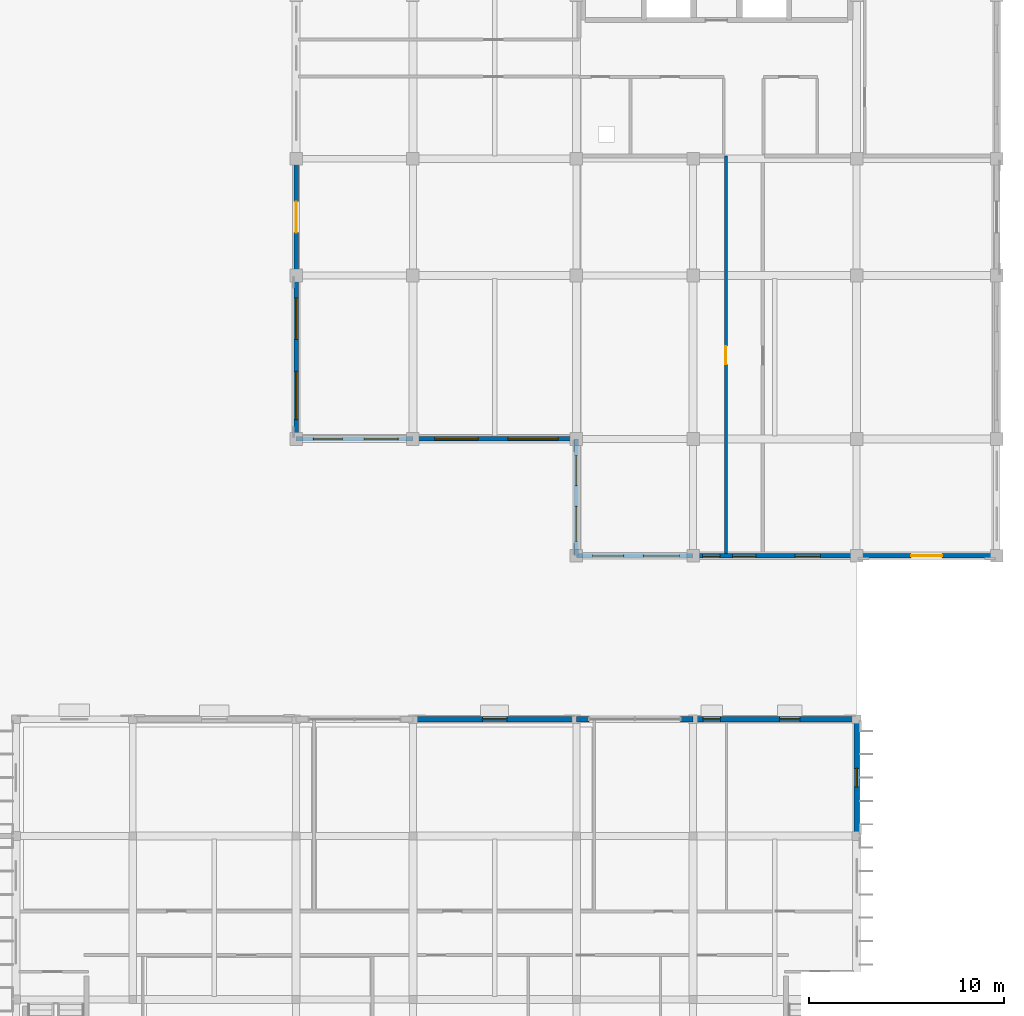
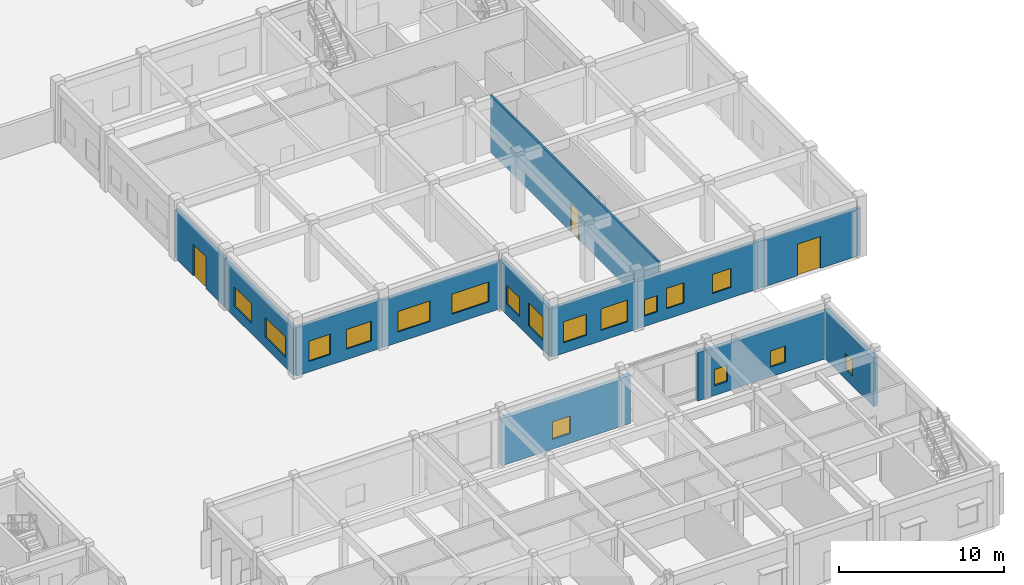
# One storey, part 43 of 67: 17 windows, 14 walls, 3 doors, 20 openings.
"""IFC4 building model written with IfcOpenShell, lengths in metres."""

from ifc_helpers import new_model, si_unit, direction, frame, frame_2d, origin, place, context, subcontext, project, spatial, rectangle, extrude, material, layer, layer_set, type_object, element, fill, save


model = new_model("IFC4")

# Units and contexts
model_context = context("Model", 3, precision=1e-05, world=origin(), true_north=direction((0.0, 1.0)))
body_context = subcontext(model_context, "Body", "Model", "MODEL_VIEW")
ifc_project = project(units=[si_unit("LENGTHUNIT", "METRE"), si_unit("AREAUNIT", "SQUARE_METRE"), si_unit("VOLUMEUNIT", "CUBIC_METRE"), si_unit("PLANEANGLEUNIT", "RADIAN"), si_unit("MASSUNIT", "GRAM", prefix="KILO"), si_unit("THERMODYNAMICTEMPERATUREUNIT", "KELVIN")], contexts=[model_context])

# Site, building, storey
site_placement = place(None, origin())
site = spatial("IfcSite", under=ifc_project, at=site_placement, CompositionType="ELEMENT")
building_placement = place(site_placement, origin())
building = spatial("IfcBuilding", under=site, at=building_placement, Name="Thalorik Housing Commons", CompositionType="ELEMENT")
storey_placement = place(building_placement, origin())
storey = spatial("IfcBuildingStorey", under=building, at=storey_placement, Name="L00", CompositionType="ELEMENT", Elevation=0.0)

# Wall, opening, door
ifc_material_1 = material(Name="Masonry fire-rated corridor wall", Category="masonry")
ifc_layer_1 = layer(ifc_material_1, 0.14990234375, Name="Masonry fire-rated corridor wall", Category="masonry")
ifc_layer_set_1 = layer_set([ifc_layer_1], Name="Masonry fire-rated corridor wall")
wall_type_1 = type_object("IfcWallType", Name="ARC-WAL-CORR-150", PredefinedType="PARTITIONING", material=ifc_layer_set_1)
wall_1_placement = place(storey_placement, frame((160.080078125, 37.319580078125, 0.0), z_axis=(0.0, 0.0, 1.0), x_axis=(0.0, 1.0, 0.0)))
wall_1 = element("IfcWall", 1, at=wall_1_placement, inside=storey, type_object=wall_type_1, Name="L00 Block D E Corridor Wall 1", PredefinedType="PARTITIONING", context=body_context, shape_type="SweptSolid", body=[
    extrude(rectangle(XDim=20.42041015625, YDim=0.14990234375, at=frame_2d((10.210205078125, 0.0))), origin(), (0.0, 0.0, 1.0), 4.199951171875),
])
opening_1_placement = place(wall_1_placement, frame((9.70556640625, 0.0, 0.0)))
opening_1 = element("IfcOpeningElement", 2, at=opening_1_placement, cuts=wall_1, Name="Opening ID-1986", PredefinedType="OPENING", context=body_context, shape_type="SweptSolid", body=[
    extrude(rectangle(XDim=0.949951171875, YDim=2.10009765625, at=frame_2d((0.47509765625, 1.050048828125))), frame((0.0, 0.0849609375, 0.0), z_axis=(0.0, -1.0, 0.0), x_axis=(1.0, 0.0, 0.0)), (0.0, 0.0, 1.0), 0.169921875),
])
ifc_material_2 = material(Name="Steel S355", Category="steel")
door_type_1 = type_object("IfcDoorType", Name="ARC-DR-FD60-950", OperationType="NOTDEFINED", PredefinedType="DOOR", material=ifc_material_2)
door_1_placement = place(opening_1_placement, origin())
door_1 = element("IfcDoor", 3, at=door_1_placement, inside=storey, type_object=door_type_1, Name="L00 Residents Lounge Entrance Door", OperationType="SINGLE_SWING_LEFT", OverallHeight=2.10009765625, OverallWidth=0.949951171875, PredefinedType="DOOR", context=body_context, shape_type="SweptSolid", body=[
    extrude(rectangle(XDim=0.949951171875, YDim=2.10009765625, at=frame_2d((0.47509765625, 1.050048828125))), frame((0.0, 0.02490234375, 0.0), z_axis=(0.0, -1.0, 0.0), x_axis=(1.0, 0.0, 0.0)), (0.0, 0.0, 1.0), 0.050048828125),
])
fill(opening_1, door_1)

ifc_material_3 = material(Name="White precast concrete C40/50", Category="concrete")
ifc_layer_2 = layer(ifc_material_3, 0.235107421875, Name="White precast concrete C40/50", Category="concrete")
ifc_layer_set_2 = layer_set([ifc_layer_2], Name="White precast concrete C40/50")
wall_type_2 = type_object("IfcWallType", Name="ARC-WAL-EXT-235", PredefinedType="STANDARD", material=ifc_layer_set_2)
wall_2_placement = place(storey_placement, frame((138.0, 57.60009765625, 0.0), z_axis=(0.0, 0.0, 1.0), x_axis=(0.0, -1.0, 0.0)))
wall_2 = element("IfcWall", 4, at=wall_2_placement, inside=storey, type_object=wall_type_2, Name="L00 Exterior Wall WAL-EXT-L00-D-1109", PredefinedType="STANDARD", context=body_context, shape_type="SweptSolid", body=[
    extrude(rectangle(XDim=6.0, YDim=0.235107421875, at=frame_2d((3.0, 0.0))), origin(), (0.0, 0.0, 1.0), 3.5849609375),
])
opening_2_placement = place(wall_2_placement, frame((2.199951171875, 0.0, 0.0)))
opening_2 = element("IfcOpeningElement", 5, at=opening_2_placement, cuts=wall_2, Name="Opening ED-0370", PredefinedType="OPENING", context=body_context, shape_type="SweptSolid", body=[
    extrude(rectangle(XDim=1.60009765625, YDim=2.35009765625, at=frame_2d((0.800048828125, 1.175048828125))), frame((0.0, 0.12744140625, 0.0), z_axis=(0.0, -1.0, 0.0), x_axis=(1.0, 0.0, 0.0)), (0.0, 0.0, 1.0), 0.255126953125),
])
ifc_material_4 = material(Name="Anodised aluminium and laminated safety glass", Category="aluminium")
door_type_2 = type_object("IfcDoorType", Name="ARC-DR-EXT-LOB-1600", OperationType="NOTDEFINED", PredefinedType="DOOR", material=ifc_material_4)
door_2_placement = place(opening_2_placement, frame((1.60009765625, 0.0, 0.0), z_axis=(0.0, 0.0, 1.0), x_axis=(-1.0, 0.0, 0.0)))
door_2 = element("IfcDoor", 6, at=door_2_placement, inside=storey, type_object=door_type_2, Name="L00 Block D Courtyard Entrance Door", OperationType="DOUBLE_DOOR_SINGLE_SWING", OverallHeight=2.35009765625, OverallWidth=1.60009765625, PredefinedType="DOOR", context=body_context, shape_type="SweptSolid", body=[
    extrude(rectangle(XDim=1.60009765625, YDim=2.35009765625, at=frame_2d((0.800048828125, 1.175048828125))), frame((0.0, 0.02490234375, 0.0), z_axis=(0.0, -1.0, 0.0), x_axis=(1.0, 0.0, 0.0)), (0.0, 0.0, 1.0), 0.050048828125),
])
fill(opening_2, door_2)

# Wall, openings, windows
wall_3_placement = place(storey_placement, frame((138.0, 51.60009765625, 0.0), z_axis=(0.0, 0.0, 1.0), x_axis=(0.0, -1.0, 0.0)))
wall_3 = element("IfcWall", 7, at=wall_3_placement, inside=storey, type_object=wall_type_2, Name="L00 Exterior Wall WAL-EXT-L00-D-1110", PredefinedType="STANDARD", context=body_context, shape_type="SweptSolid", body=[
    extrude(rectangle(XDim=8.400146484375, YDim=0.235107421875, at=frame_2d((4.2001953125, 0.0))), origin(), (0.0, 0.0, 1.0), 3.485107421875),
])
opening_3_placement = place(wall_3_placement, frame((1.169921875, 0.0, 0.780029296875)))
opening_3 = element("IfcOpeningElement", 8, at=opening_3_placement, cuts=wall_3, Name="Opening W-64", PredefinedType="OPENING", context=body_context, shape_type="SweptSolid", body=[
    extrude(rectangle(XDim=2.1201171875, YDim=1.43994140625, at=frame_2d((1.06005859375, 0.719970703125))), frame((0.0, 0.12744140625, 0.0), z_axis=(0.0, -1.0, 0.0), x_axis=(1.0, 0.0, 0.0)), (0.0, 0.0, 1.0), 0.255126953125),
])
opening_4_placement = place(wall_3_placement, frame((4.929931640625, 0.0, 0.780029296875)))
opening_4 = element("IfcOpeningElement", 9, at=opening_4_placement, cuts=wall_3, Name="Opening W-71", PredefinedType="OPENING", context=body_context, shape_type="SweptSolid", body=[
    extrude(rectangle(XDim=2.47998046875, YDim=1.4599609375, at=frame_2d((1.239990234375, 0.72998046875))), frame((0.0, 0.12744140625, 0.0), z_axis=(0.0, -1.0, 0.0), x_axis=(1.0, 0.0, 0.0)), (0.0, 0.0, 1.0), 0.255126953125),
])
ifc_material_5 = material(Name="Anodised aluminium and solar-control low-E glass", Category="aluminium")
window_type_1 = type_object("IfcWindowType", Name="ARC-WIN-64", PartitioningType="DOUBLE_PANEL_VERTICAL", PredefinedType="WINDOW", material=ifc_material_5)
window_1_placement = place(opening_3_placement, origin())
window_1 = element("IfcWindow", 10, at=window_1_placement, inside=storey, type_object=window_type_1, Name="L00 Facade Window 2046", OverallHeight=1.43994140625, OverallWidth=2.1201171875, PartitioningType="DOUBLE_PANEL_VERTICAL", PredefinedType="WINDOW", context=body_context, shape_type="SweptSolid", body=[
    extrude(rectangle(XDim=2.1201171875, YDim=1.43994140625, at=frame_2d((1.06005859375, 0.719970703125))), frame((0.0, 0.030029296875, 0.0), z_axis=(0.0, -1.0, 0.0), x_axis=(1.0, 0.0, 0.0)), (0.0, 0.0, 1.0), 0.06005859375),
])
fill(opening_3, window_1)
window_type_2 = type_object("IfcWindowType", Name="ARC-WIN-71", PartitioningType="DOUBLE_PANEL_VERTICAL", PredefinedType="WINDOW", material=ifc_material_5)
window_2_placement = place(opening_4_placement, origin())
window_2 = element("IfcWindow", 11, at=window_2_placement, inside=storey, type_object=window_type_2, Name="L00 Facade Window 2047", OverallHeight=1.4599609375, OverallWidth=2.47998046875, PartitioningType="DOUBLE_PANEL_VERTICAL", PredefinedType="WINDOW", context=body_context, shape_type="SweptSolid", body=[
    extrude(rectangle(XDim=2.47998046875, YDim=1.4599609375, at=frame_2d((1.239990234375, 0.72998046875))), frame((0.0, 0.030029296875, 0.0), z_axis=(0.0, -1.0, 0.0), x_axis=(1.0, 0.0, 0.0)), (0.0, 0.0, 1.0), 0.06005859375),
])
fill(opening_4, window_2)

wall_4_placement = place(storey_placement, frame((138.0, 43.199951171875, 0.0), z_axis=(0.0, 0.0, 1.0), x_axis=(1.0, 0.0, 0.0)))
wall_4 = element("IfcWall", 12, at=wall_4_placement, inside=storey, type_object=wall_type_2, Name="L00 Exterior Wall WAL-EXT-L00-D-1111", PredefinedType="STANDARD", context=body_context, shape_type="SweptSolid", body=[
    extrude(rectangle(XDim=6.0, YDim=0.235107421875, at=frame_2d((3.0, 0.0))), origin(), (0.0, 0.0, 1.0), 3.5849609375),
])
opening_5_placement = place(wall_4_placement, frame((0.8798828125, 0.0, 0.780029296875)))
opening_5 = element("IfcOpeningElement", 13, at=opening_5_placement, cuts=wall_4, Name="Opening W-10", PredefinedType="OPENING", context=body_context, shape_type="SweptSolid", body=[
    extrude(rectangle(XDim=1.5, YDim=1.5, at=frame_2d((0.75, 0.75))), frame((0.0, 0.12744140625, 0.0), z_axis=(0.0, -1.0, 0.0), x_axis=(1.0, 0.0, 0.0)), (0.0, 0.0, 1.0), 0.255126953125),
])
opening_6_placement = place(wall_4_placement, frame((3.4951171875, 0.0, 0.780029296875)))
opening_6 = element("IfcOpeningElement", 14, at=opening_6_placement, cuts=wall_4, Name="Opening W-17", PredefinedType="OPENING", context=body_context, shape_type="SweptSolid", body=[
    extrude(rectangle(XDim=1.75, YDim=1.449951171875, at=frame_2d((0.875, 0.72509765625))), frame((0.0, 0.12744140625, 0.0), z_axis=(0.0, -1.0, 0.0), x_axis=(1.0, 0.0, 0.0)), (0.0, 0.0, 1.0), 0.255126953125),
])
window_type_3 = type_object("IfcWindowType", Name="ARC-WIN-10", PartitioningType="SINGLE_PANEL", PredefinedType="WINDOW", material=ifc_material_5)
window_3_placement = place(opening_5_placement, origin())
window_3 = element("IfcWindow", 15, at=window_3_placement, inside=storey, type_object=window_type_3, Name="L00 Facade Window 2048", OverallHeight=1.5, OverallWidth=1.5, PartitioningType="SINGLE_PANEL", PredefinedType="WINDOW", context=body_context, shape_type="SweptSolid", body=[
    extrude(rectangle(XDim=1.5, YDim=1.5, at=frame_2d((0.75, 0.75))), frame((0.0, 0.030029296875, 0.0), z_axis=(0.0, -1.0, 0.0), x_axis=(1.0, 0.0, 0.0)), (0.0, 0.0, 1.0), 0.06005859375),
])
fill(opening_5, window_3)
window_type_4 = type_object("IfcWindowType", Name="ARC-WIN-17", PartitioningType="DOUBLE_PANEL_VERTICAL", PredefinedType="WINDOW", material=ifc_material_5)
window_4_placement = place(opening_6_placement, origin())
window_4 = element("IfcWindow", 16, at=window_4_placement, inside=storey, type_object=window_type_4, Name="L00 Facade Window 2049", OverallHeight=1.449951171875, OverallWidth=1.75, PartitioningType="DOUBLE_PANEL_VERTICAL", PredefinedType="WINDOW", context=body_context, shape_type="SweptSolid", body=[
    extrude(rectangle(XDim=1.75, YDim=1.449951171875, at=frame_2d((0.875, 0.72509765625))), frame((0.0, 0.030029296875, 0.0), z_axis=(0.0, -1.0, 0.0), x_axis=(1.0, 0.0, 0.0)), (0.0, 0.0, 1.0), 0.06005859375),
])
fill(opening_6, window_4)

wall_5_placement = place(storey_placement, frame((144.0, 43.199951171875, 0.0), z_axis=(0.0, 0.0, 1.0), x_axis=(1.0, 0.0, 0.0)))
wall_5 = element("IfcWall", 17, at=wall_5_placement, inside=storey, type_object=wall_type_2, Name="L00 Exterior Wall WAL-EXT-L00-D-1112", PredefinedType="STANDARD", context=body_context, shape_type="SweptSolid", body=[
    extrude(rectangle(XDim=8.39990234375, YDim=0.235107421875, at=frame_2d((4.199951171875, 0.0))), origin(), (0.0, 0.0, 1.0), 3.485107421875),
])
opening_7_placement = place(wall_5_placement, frame((1.110107421875, 0.0, 0.780029296875)))
opening_7 = element("IfcOpeningElement", 18, at=opening_7_placement, cuts=wall_5, Name="Opening W-66", PredefinedType="OPENING", context=body_context, shape_type="SweptSolid", body=[
    extrude(rectangle(XDim=2.239990234375, YDim=1.52001953125, at=frame_2d((1.1201171875, 0.760009765625))), frame((0.0, 0.12744140625, 0.0), z_axis=(0.0, -1.0, 0.0), x_axis=(1.0, 0.0, 0.0)), (0.0, 0.0, 1.0), 0.255126953125),
])
opening_8_placement = place(wall_5_placement, frame((4.8798828125, 0.0, 0.780029296875)))
opening_8 = element("IfcOpeningElement", 19, at=opening_8_placement, cuts=wall_5, Name="Opening W-73", PredefinedType="OPENING", context=body_context, shape_type="SweptSolid", body=[
    extrude(rectangle(XDim=2.580078125, YDim=1.47998046875, at=frame_2d((1.2900390625, 0.739990234375))), frame((0.0, 0.12744140625, 0.0), z_axis=(0.0, -1.0, 0.0), x_axis=(1.0, 0.0, 0.0)), (0.0, 0.0, 1.0), 0.255126953125),
])
window_type_5 = type_object("IfcWindowType", Name="ARC-WIN-66", PartitioningType="DOUBLE_PANEL_VERTICAL", PredefinedType="WINDOW", material=ifc_material_5)
window_5_placement = place(opening_7_placement, origin())
window_5 = element("IfcWindow", 20, at=window_5_placement, inside=storey, type_object=window_type_5, Name="L00 Facade Window 2050", OverallHeight=1.52001953125, OverallWidth=2.239990234375, PartitioningType="DOUBLE_PANEL_VERTICAL", PredefinedType="WINDOW", context=body_context, shape_type="SweptSolid", body=[
    extrude(rectangle(XDim=2.239990234375, YDim=1.52001953125, at=frame_2d((1.1201171875, 0.760009765625))), frame((0.0, 0.030029296875, 0.0), z_axis=(0.0, -1.0, 0.0), x_axis=(1.0, 0.0, 0.0)), (0.0, 0.0, 1.0), 0.06005859375),
])
fill(opening_7, window_5)
window_type_6 = type_object("IfcWindowType", Name="ARC-WIN-73", PartitioningType="DOUBLE_PANEL_VERTICAL", PredefinedType="WINDOW", material=ifc_material_5)
window_6_placement = place(opening_8_placement, origin())
window_6 = element("IfcWindow", 21, at=window_6_placement, inside=storey, type_object=window_type_6, Name="L00 Facade Window 2051", OverallHeight=1.47998046875, OverallWidth=2.580078125, PartitioningType="DOUBLE_PANEL_VERTICAL", PredefinedType="WINDOW", context=body_context, shape_type="SweptSolid", body=[
    extrude(rectangle(XDim=2.580078125, YDim=1.47998046875, at=frame_2d((1.2900390625, 0.739990234375))), frame((0.0, 0.030029296875, 0.0), z_axis=(0.0, -1.0, 0.0), x_axis=(1.0, 0.0, 0.0)), (0.0, 0.0, 1.0), 0.06005859375),
])
fill(opening_8, window_6)

wall_6_placement = place(storey_placement, frame((152.39990234375, 43.199951171875, 0.0), z_axis=(0.0, 0.0, 1.0), x_axis=(0.0, -1.0, 0.0)))
wall_6 = element("IfcWall", 22, at=wall_6_placement, inside=storey, type_object=wall_type_2, Name="L00 Exterior Wall WAL-EXT-L00-D-1113", PredefinedType="STANDARD", context=body_context, shape_type="SweptSolid", body=[
    extrude(rectangle(XDim=6.0, YDim=0.235107421875, at=frame_2d((3.0, 0.0))), origin(), (0.0, 0.0, 1.0), 3.5849609375),
])
opening_9_placement = place(wall_6_placement, frame((0.85498046875, 0.0, 0.780029296875)))
opening_9 = element("IfcOpeningElement", 23, at=opening_9_placement, cuts=wall_6, Name="Opening W-12", PredefinedType="OPENING", context=body_context, shape_type="SweptSolid", body=[
    extrude(rectangle(XDim=1.550048828125, YDim=1.39990234375, at=frame_2d((0.77490234375, 0.699951171875))), frame((0.0, 0.12744140625, 0.0), z_axis=(0.0, -1.0, 0.0), x_axis=(1.0, 0.0, 0.0)), (0.0, 0.0, 1.0), 0.255126953125),
])
opening_10_placement = place(wall_6_placement, frame((3.469970703125, 0.0, 0.780029296875)))
opening_10 = element("IfcOpeningElement", 24, at=opening_10_placement, cuts=wall_6, Name="Opening W-19", PredefinedType="OPENING", context=body_context, shape_type="SweptSolid", body=[
    extrude(rectangle(XDim=1.800048828125, YDim=1.699951171875, at=frame_2d((0.89990234375, 0.85009765625))), frame((0.0, 0.12744140625, 0.0), z_axis=(0.0, -1.0, 0.0), x_axis=(1.0, 0.0, 0.0)), (0.0, 0.0, 1.0), 0.255126953125),
])
window_type_7 = type_object("IfcWindowType", Name="ARC-WIN-12", PartitioningType="SINGLE_PANEL", PredefinedType="WINDOW", material=ifc_material_5)
window_7_placement = place(opening_9_placement, origin())
window_7 = element("IfcWindow", 25, at=window_7_placement, inside=storey, type_object=window_type_7, Name="L00 Facade Window 2052", OverallHeight=1.39990234375, OverallWidth=1.550048828125, PartitioningType="SINGLE_PANEL", PredefinedType="WINDOW", context=body_context, shape_type="SweptSolid", body=[
    extrude(rectangle(XDim=1.550048828125, YDim=1.39990234375, at=frame_2d((0.77490234375, 0.699951171875))), frame((0.0, 0.030029296875, 0.0), z_axis=(0.0, -1.0, 0.0), x_axis=(1.0, 0.0, 0.0)), (0.0, 0.0, 1.0), 0.06005859375),
])
fill(opening_9, window_7)
window_type_8 = type_object("IfcWindowType", Name="ARC-WIN-19", PartitioningType="DOUBLE_PANEL_VERTICAL", PredefinedType="WINDOW", material=ifc_material_5)
window_8_placement = place(opening_10_placement, origin())
window_8 = element("IfcWindow", 26, at=window_8_placement, inside=storey, type_object=window_type_8, Name="L00 Facade Window 2053", OverallHeight=1.699951171875, OverallWidth=1.800048828125, PartitioningType="DOUBLE_PANEL_VERTICAL", PredefinedType="WINDOW", context=body_context, shape_type="SweptSolid", body=[
    extrude(rectangle(XDim=1.800048828125, YDim=1.699951171875, at=frame_2d((0.89990234375, 0.85009765625))), frame((0.0, 0.030029296875, 0.0), z_axis=(0.0, -1.0, 0.0), x_axis=(1.0, 0.0, 0.0)), (0.0, 0.0, 1.0), 0.06005859375),
])
fill(opening_10, window_8)

wall_7_placement = place(storey_placement, frame((152.39990234375, 37.199951171875, 0.0), z_axis=(0.0, 0.0, 1.0), x_axis=(1.0, 0.0, 0.0)))
wall_7 = element("IfcWall", 27, at=wall_7_placement, inside=storey, type_object=wall_type_2, Name="L00 Exterior Wall WAL-EXT-L00-D-1114", PredefinedType="STANDARD", context=body_context, shape_type="SweptSolid", body=[
    extrude(rectangle(XDim=6.0, YDim=0.235107421875, at=frame_2d((3.0, 0.0))), origin(), (0.0, 0.0, 1.0), 3.5849609375),
])
opening_11_placement = place(wall_7_placement, frame((0.830078125, 0.0, 0.780029296875)))
opening_11 = element("IfcOpeningElement", 28, at=opening_11_placement, cuts=wall_7, Name="Opening W-13", PredefinedType="OPENING", context=body_context, shape_type="SweptSolid", body=[
    extrude(rectangle(XDim=1.60009765625, YDim=1.550048828125, at=frame_2d((0.800048828125, 0.77490234375))), frame((0.0, 0.12744140625, 0.0), z_axis=(0.0, -1.0, 0.0), x_axis=(1.0, 0.0, 0.0)), (0.0, 0.0, 1.0), 0.255126953125),
])
opening_12_placement = place(wall_7_placement, frame((3.445068359375, 0.0, 0.780029296875)))
opening_12 = element("IfcOpeningElement", 29, at=opening_12_placement, cuts=wall_7, Name="Opening W-20", PredefinedType="OPENING", context=body_context, shape_type="SweptSolid", body=[
    extrude(rectangle(XDim=1.85009765625, YDim=1.60009765625, at=frame_2d((0.925048828125, 0.800048828125))), frame((0.0, 0.12744140625, 0.0), z_axis=(0.0, -1.0, 0.0), x_axis=(1.0, 0.0, 0.0)), (0.0, 0.0, 1.0), 0.255126953125),
])
window_type_9 = type_object("IfcWindowType", Name="ARC-WIN-13", PartitioningType="DOUBLE_PANEL_VERTICAL", PredefinedType="WINDOW", material=ifc_material_5)
window_9_placement = place(opening_11_placement, origin())
window_9 = element("IfcWindow", 30, at=window_9_placement, inside=storey, type_object=window_type_9, Name="L00 Facade Window 2054", OverallHeight=1.550048828125, OverallWidth=1.60009765625, PartitioningType="DOUBLE_PANEL_VERTICAL", PredefinedType="WINDOW", context=body_context, shape_type="SweptSolid", body=[
    extrude(rectangle(XDim=1.60009765625, YDim=1.550048828125, at=frame_2d((0.800048828125, 0.77490234375))), frame((0.0, 0.030029296875, 0.0), z_axis=(0.0, -1.0, 0.0), x_axis=(1.0, 0.0, 0.0)), (0.0, 0.0, 1.0), 0.06005859375),
])
fill(opening_11, window_9)
window_type_10 = type_object("IfcWindowType", Name="ARC-WIN-20", PartitioningType="DOUBLE_PANEL_VERTICAL", PredefinedType="WINDOW", material=ifc_material_5)
window_10_placement = place(opening_12_placement, origin())
window_10 = element("IfcWindow", 31, at=window_10_placement, inside=storey, type_object=window_type_10, Name="L00 Facade Window 2055", OverallHeight=1.60009765625, OverallWidth=1.85009765625, PartitioningType="DOUBLE_PANEL_VERTICAL", PredefinedType="WINDOW", context=body_context, shape_type="SweptSolid", body=[
    extrude(rectangle(XDim=1.85009765625, YDim=1.60009765625, at=frame_2d((0.925048828125, 0.800048828125))), frame((0.0, 0.030029296875, 0.0), z_axis=(0.0, -1.0, 0.0), x_axis=(1.0, 0.0, 0.0)), (0.0, 0.0, 1.0), 0.06005859375),
])
fill(opening_12, window_10)

wall_8_placement = place(storey_placement, frame((158.39990234375, 37.199951171875, 0.0), z_axis=(0.0, 0.0, 1.0), x_axis=(1.0, 0.0, 0.0)))
wall_8 = element("IfcWall", 32, at=wall_8_placement, inside=storey, type_object=wall_type_2, Name="L00 Exterior Wall WAL-EXT-L00-D-1115", PredefinedType="STANDARD", context=body_context, shape_type="SweptSolid", body=[
    extrude(rectangle(XDim=8.400146484375, YDim=0.235107421875, at=frame_2d((4.2001953125, 0.0))), origin(), (0.0, 0.0, 1.0), 3.485107421875),
])
opening_13_placement = place(wall_8_placement, frame((0.485107421875, 0.0, 0.780029296875)))
opening_13 = element("IfcOpeningElement", 33, at=opening_13_placement, cuts=wall_8, Name="Opening W-01", PredefinedType="OPENING", context=body_context, shape_type="SweptSolid", body=[
    extrude(rectangle(XDim=0.89990234375, YDim=1.199951171875, at=frame_2d((0.449951171875, 0.60009765625))), frame((0.0, 0.12744140625, 0.0), z_axis=(0.0, -1.0, 0.0), x_axis=(1.0, 0.0, 0.0)), (0.0, 0.0, 1.0), 0.255126953125),
])
opening_14_placement = place(wall_8_placement, frame((2.030029296875, 0.0, 0.780029296875)))
opening_14 = element("IfcOpeningElement", 34, at=opening_14_placement, cuts=wall_8, Name="Opening W-05", PredefinedType="OPENING", context=body_context, shape_type="SweptSolid", body=[
    extrude(rectangle(XDim=1.199951171875, YDim=1.5, at=frame_2d((0.60009765625, 0.75))), frame((0.0, 0.12744140625, 0.0), z_axis=(0.0, -1.0, 0.0), x_axis=(1.0, 0.0, 0.0)), (0.0, 0.0, 1.0), 0.255126953125),
])
opening_15_placement = place(wall_8_placement, frame((5.2451171875, 0.0, 0.780029296875)))
opening_15 = element("IfcOpeningElement", 35, at=opening_15_placement, cuts=wall_8, Name="Opening W-06", PredefinedType="OPENING", context=body_context, shape_type="SweptSolid", body=[
    extrude(rectangle(XDim=1.300048828125, YDim=1.39990234375, at=frame_2d((0.64990234375, 0.699951171875))), frame((0.0, 0.12744140625, 0.0), z_axis=(0.0, -1.0, 0.0), x_axis=(1.0, 0.0, 0.0)), (0.0, 0.0, 1.0), 0.255126953125),
])
window_type_11 = type_object("IfcWindowType", Name="ARC-WIN-01", PartitioningType="SINGLE_PANEL", PredefinedType="WINDOW", material=ifc_material_5)
window_11_placement = place(opening_13_placement, origin())
window_11 = element("IfcWindow", 36, at=window_11_placement, inside=storey, type_object=window_type_11, Name="L00 Facade Window 2056", OverallHeight=1.199951171875, OverallWidth=0.89990234375, PartitioningType="SINGLE_PANEL", PredefinedType="WINDOW", context=body_context, shape_type="SweptSolid", body=[
    extrude(rectangle(XDim=0.89990234375, YDim=1.199951171875, at=frame_2d((0.449951171875, 0.60009765625))), frame((0.0, 0.030029296875, 0.0), z_axis=(0.0, -1.0, 0.0), x_axis=(1.0, 0.0, 0.0)), (0.0, 0.0, 1.0), 0.06005859375),
])
fill(opening_13, window_11)
window_type_12 = type_object("IfcWindowType", Name="ARC-WIN-05", PartitioningType="SINGLE_PANEL", PredefinedType="WINDOW", material=ifc_material_5)
window_12_placement = place(opening_14_placement, origin())
window_12 = element("IfcWindow", 37, at=window_12_placement, inside=storey, type_object=window_type_12, Name="L00 Facade Window 2057", OverallHeight=1.5, OverallWidth=1.199951171875, PartitioningType="SINGLE_PANEL", PredefinedType="WINDOW", context=body_context, shape_type="SweptSolid", body=[
    extrude(rectangle(XDim=1.199951171875, YDim=1.5, at=frame_2d((0.60009765625, 0.75))), frame((0.0, 0.030029296875, 0.0), z_axis=(0.0, -1.0, 0.0), x_axis=(1.0, 0.0, 0.0)), (0.0, 0.0, 1.0), 0.06005859375),
])
fill(opening_14, window_12)
window_type_13 = type_object("IfcWindowType", Name="ARC-WIN-06", PartitioningType="SINGLE_PANEL", PredefinedType="WINDOW", material=ifc_material_5)
window_13_placement = place(opening_15_placement, origin())
window_13 = element("IfcWindow", 38, at=window_13_placement, inside=storey, type_object=window_type_13, Name="L00 Facade Window 2058", OverallHeight=1.39990234375, OverallWidth=1.300048828125, PartitioningType="SINGLE_PANEL", PredefinedType="WINDOW", context=body_context, shape_type="SweptSolid", body=[
    extrude(rectangle(XDim=1.300048828125, YDim=1.39990234375, at=frame_2d((0.64990234375, 0.699951171875))), frame((0.0, 0.030029296875, 0.0), z_axis=(0.0, -1.0, 0.0), x_axis=(1.0, 0.0, 0.0)), (0.0, 0.0, 1.0), 0.06005859375),
])
fill(opening_15, window_13)

# Wall, opening, door
wall_9_placement = place(storey_placement, frame((166.800048828125, 37.199951171875, 0.0), z_axis=(0.0, 0.0, 1.0), x_axis=(1.0, 0.0, 0.0)))
wall_9 = element("IfcWall", 39, at=wall_9_placement, inside=storey, type_object=wall_type_2, Name="L00 Exterior Wall WAL-EXT-L00-D-1116", PredefinedType="STANDARD", context=body_context, shape_type="SweptSolid", body=[
    extrude(rectangle(XDim=7.199951171875, YDim=0.235107421875, at=frame_2d((3.60009765625, 0.0))), origin(), (0.0, 0.0, 1.0), 3.485107421875),
])
opening_16_placement = place(wall_9_placement, frame((2.800048828125, 0.0, 0.0)))
opening_16 = element("IfcOpeningElement", 40, at=opening_16_placement, cuts=wall_9, Name="Opening ED-0371", PredefinedType="OPENING", context=body_context, shape_type="SweptSolid", body=[
    extrude(rectangle(XDim=1.60009765625, YDim=2.35009765625, at=frame_2d((0.800048828125, 1.175048828125))), frame((0.0, 0.12744140625, 0.0), z_axis=(0.0, -1.0, 0.0), x_axis=(1.0, 0.0, 0.0)), (0.0, 0.0, 1.0), 0.255126953125),
])
door_3_placement = place(opening_16_placement, frame((1.60009765625, 0.0, 0.0), z_axis=(0.0, 0.0, 1.0), x_axis=(-1.0, 0.0, 0.0)))
door_3 = element("IfcDoor", 41, at=door_3_placement, inside=storey, type_object=door_type_2, Name="L00 Block D Courtyard Entrance Door", OperationType="DOUBLE_DOOR_SINGLE_SWING", OverallHeight=2.35009765625, OverallWidth=1.60009765625, PredefinedType="DOOR", context=body_context, shape_type="SweptSolid", body=[
    extrude(rectangle(XDim=1.60009765625, YDim=2.35009765625, at=frame_2d((0.800048828125, 1.175048828125))), frame((0.0, 0.02490234375, 0.0), z_axis=(0.0, -1.0, 0.0), x_axis=(1.0, 0.0, 0.0)), (0.0, 0.0, 1.0), 0.050048828125),
])
fill(opening_16, door_3)

# Wall, opening, window
ifc_layer_3 = layer(ifc_material_3, 0.2900390625, Name="White precast concrete C40/50", Category="concrete")
ifc_layer_set_3 = layer_set([ifc_layer_3], Name="White precast concrete C40/50")
wall_type_3 = type_object("IfcWallType", Name="ARC-WAL-EXT-290", PredefinedType="STANDARD", material=ifc_layer_set_3)
wall_10_placement = place(storey_placement, frame((166.800048828125, 22.800048828125, 0.0), z_axis=(0.0, 0.0, 1.0), x_axis=(0.0, 1.0, 0.0)))
wall_10 = element("IfcWall", 42, at=wall_10_placement, inside=storey, type_object=wall_type_3, Name="L00 Exterior Wall WAL-NURS-L00-1331", PredefinedType="STANDARD", context=body_context, shape_type="SweptSolid", body=[
    extrude(rectangle(XDim=6.0, YDim=0.2900390625, at=frame_2d((3.0, 0.0))), origin(), (0.0, 0.0, 1.0), 3.5849609375),
])
opening_17_placement = place(wall_10_placement, frame((2.52490234375, 0.0, 0.719970703125)))
opening_17 = element("IfcOpeningElement", 43, at=opening_17_placement, cuts=wall_10, Name="Opening W-43", PredefinedType="OPENING", context=body_context, shape_type="SweptSolid", body=[
    extrude(rectangle(XDim=0.949951171875, YDim=1.14990234375, at=frame_2d((0.47509765625, 0.574951171875))), frame((0.0, 0.155029296875, 0.0), z_axis=(0.0, -1.0, 0.0), x_axis=(1.0, 0.0, 0.0)), (0.0, 0.0, 1.0), 0.31005859375),
])
window_type_14 = type_object("IfcWindowType", Name="ARC-WIN-43", PartitioningType="SINGLE_PANEL", PredefinedType="WINDOW", material=ifc_material_5)
window_14_placement = place(opening_17_placement, origin())
window_14 = element("IfcWindow", 44, at=window_14_placement, inside=storey, type_object=window_type_14, Name="L00 Facade Window 2369", OverallHeight=1.14990234375, OverallWidth=0.949951171875, PartitioningType="SINGLE_PANEL", PredefinedType="WINDOW", context=body_context, shape_type="SweptSolid", body=[
    extrude(rectangle(XDim=0.949951171875, YDim=1.14990234375, at=frame_2d((0.47509765625, 0.574951171875))), frame((0.0, 0.030029296875, 0.0), z_axis=(0.0, -1.0, 0.0), x_axis=(1.0, 0.0, 0.0)), (0.0, 0.0, 1.0), 0.06005859375),
])
fill(opening_17, window_14)

# Wall, openings, windows
wall_11_placement = place(storey_placement, frame((166.800048828125, 28.800048828125, 0.0), z_axis=(0.0, 0.0, 1.0), x_axis=(-1.0, 0.0, 0.0)))
wall_11 = element("IfcWall", 45, at=wall_11_placement, inside=storey, type_object=wall_type_3, Name="L00 Exterior Wall WAL-NURS-L00-1332", PredefinedType="STANDARD", context=body_context, shape_type="SweptSolid", body=[
    extrude(rectangle(XDim=8.400146484375, YDim=0.2900390625, at=frame_2d((4.2001953125, 0.0))), origin(), (0.0, 0.0, 1.0), 3.485107421875),
])
opening_18_placement = place(wall_11_placement, frame((2.909912109375, 0.0, 0.719970703125)))
opening_18 = element("IfcOpeningElement", 46, at=opening_18_placement, cuts=wall_11, Name="Opening W-44", PredefinedType="OPENING", context=body_context, shape_type="SweptSolid", body=[
    extrude(rectangle(XDim=1.050048828125, YDim=1.199951171875, at=frame_2d((0.52490234375, 0.60009765625))), frame((0.0, 0.155029296875, 0.0), z_axis=(0.0, -1.0, 0.0), x_axis=(1.0, 0.0, 0.0)), (0.0, 0.0, 1.0), 0.31005859375),
])
opening_19_placement = place(wall_11_placement, frame((6.9951171875, 0.0, 0.719970703125)))
opening_19 = element("IfcOpeningElement", 47, at=opening_19_placement, cuts=wall_11, Name="Opening W-01", PredefinedType="OPENING", context=body_context, shape_type="SweptSolid", body=[
    extrude(rectangle(XDim=0.89990234375, YDim=1.199951171875, at=frame_2d((0.449951171875, 0.60009765625))), frame((0.0, 0.155029296875, 0.0), z_axis=(0.0, -1.0, 0.0), x_axis=(1.0, 0.0, 0.0)), (0.0, 0.0, 1.0), 0.31005859375),
])
window_15_placement = place(opening_19_placement, origin())
window_15 = element("IfcWindow", 48, at=window_15_placement, inside=storey, type_object=window_type_11, Name="L00 Facade Window 2371", OverallHeight=1.199951171875, OverallWidth=0.89990234375, PartitioningType="SINGLE_PANEL", PredefinedType="WINDOW", context=body_context, shape_type="SweptSolid", body=[
    extrude(rectangle(XDim=0.89990234375, YDim=1.199951171875, at=frame_2d((0.449951171875, 0.60009765625))), frame((0.0, 0.030029296875, 0.0), z_axis=(0.0, -1.0, 0.0), x_axis=(1.0, 0.0, 0.0)), (0.0, 0.0, 1.0), 0.06005859375),
])
fill(opening_19, window_15)
window_type_15 = type_object("IfcWindowType", Name="ARC-WIN-44", PartitioningType="SINGLE_PANEL", PredefinedType="WINDOW", material=ifc_material_5)
window_16_placement = place(opening_18_placement, origin())
window_16 = element("IfcWindow", 49, at=window_16_placement, inside=storey, type_object=window_type_15, Name="L00 Facade Window 2370", OverallHeight=1.199951171875, OverallWidth=1.050048828125, PartitioningType="SINGLE_PANEL", PredefinedType="WINDOW", context=body_context, shape_type="SweptSolid", body=[
    extrude(rectangle(XDim=1.050048828125, YDim=1.199951171875, at=frame_2d((0.52490234375, 0.60009765625))), frame((0.0, 0.030029296875, 0.0), z_axis=(0.0, -1.0, 0.0), x_axis=(1.0, 0.0, 0.0)), (0.0, 0.0, 1.0), 0.06005859375),
])
fill(opening_18, window_16)

# Walls
wall_12_placement = place(storey_placement, frame((158.39990234375, 28.800048828125, 0.0), z_axis=(0.0, 0.0, 1.0), x_axis=(-1.0, 0.0, 0.0)))
element("IfcWall", 50, at=wall_12_placement, inside=storey, type_object=wall_type_3, Name="L00 Exterior Wall WAL-NURSPL-L00-1333", PredefinedType="STANDARD", context=body_context, shape_type="SweptSolid", body=[
    extrude(rectangle(XDim=0.64990234375, YDim=0.2900390625, at=frame_2d((0.324951171875, 0.0))), origin(), (0.0, 0.0, 1.0), 3.5849609375),
])
wall_13_placement = place(storey_placement, frame((153.050048828125, 28.800048828125, 0.0), z_axis=(0.0, 0.0, 1.0), x_axis=(-1.0, 0.0, 0.0)))
element("IfcWall", 51, at=wall_13_placement, inside=storey, type_object=wall_type_3, Name="L00 Exterior Wall WAL-NURSPR-L00-1333", PredefinedType="STANDARD", context=body_context, shape_type="SweptSolid", body=[
    extrude(rectangle(XDim=0.650146484375, YDim=0.2900390625, at=frame_2d((0.3251953125, 0.0))), origin(), (0.0, 0.0, 1.0), 3.5849609375),
])

# Wall, opening, window
wall_14_placement = place(storey_placement, frame((152.39990234375, 28.800048828125, 0.0), z_axis=(0.0, 0.0, 1.0), x_axis=(-1.0, 0.0, 0.0)))
wall_14 = element("IfcWall", 52, at=wall_14_placement, inside=storey, type_object=wall_type_3, Name="L00 Exterior Wall WAL-NURS-L00-1334", PredefinedType="STANDARD", context=body_context, shape_type="SweptSolid", body=[
    extrude(rectangle(XDim=8.39990234375, YDim=0.2900390625, at=frame_2d((4.199951171875, 0.0))), origin(), (0.0, 0.0, 1.0), 3.485107421875),
])
opening_20_placement = place(wall_14_placement, frame((3.574951171875, 0.0, 0.719970703125)))
opening_20 = element("IfcOpeningElement", 53, at=opening_20_placement, cuts=wall_14, Name="Opening W-46", PredefinedType="OPENING", context=body_context, shape_type="SweptSolid", body=[
    extrude(rectangle(XDim=1.25, YDim=1.300048828125, at=frame_2d((0.625, 0.64990234375))), frame((0.0, 0.155029296875, 0.0), z_axis=(0.0, -1.0, 0.0), x_axis=(1.0, 0.0, 0.0)), (0.0, 0.0, 1.0), 0.31005859375),
])
window_type_16 = type_object("IfcWindowType", Name="ARC-WIN-46", PartitioningType="SINGLE_PANEL", PredefinedType="WINDOW", material=ifc_material_5)
window_17_placement = place(opening_20_placement, origin())
window_17 = element("IfcWindow", 54, at=window_17_placement, inside=storey, type_object=window_type_16, Name="L00 Facade Window 2372", OverallHeight=1.300048828125, OverallWidth=1.25, PartitioningType="SINGLE_PANEL", PredefinedType="WINDOW", context=body_context, shape_type="SweptSolid", body=[
    extrude(rectangle(XDim=1.25, YDim=1.300048828125, at=frame_2d((0.625, 0.64990234375))), frame((0.0, 0.030029296875, 0.0), z_axis=(0.0, -1.0, 0.0), x_axis=(1.0, 0.0, 0.0)), (0.0, 0.0, 1.0), 0.06005859375),
])
fill(opening_20, window_17)

save(model, "model.ifc")
